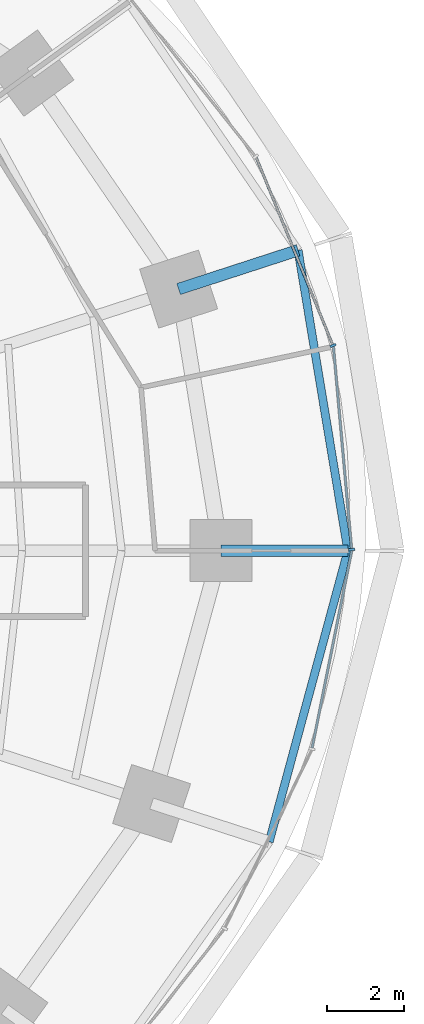
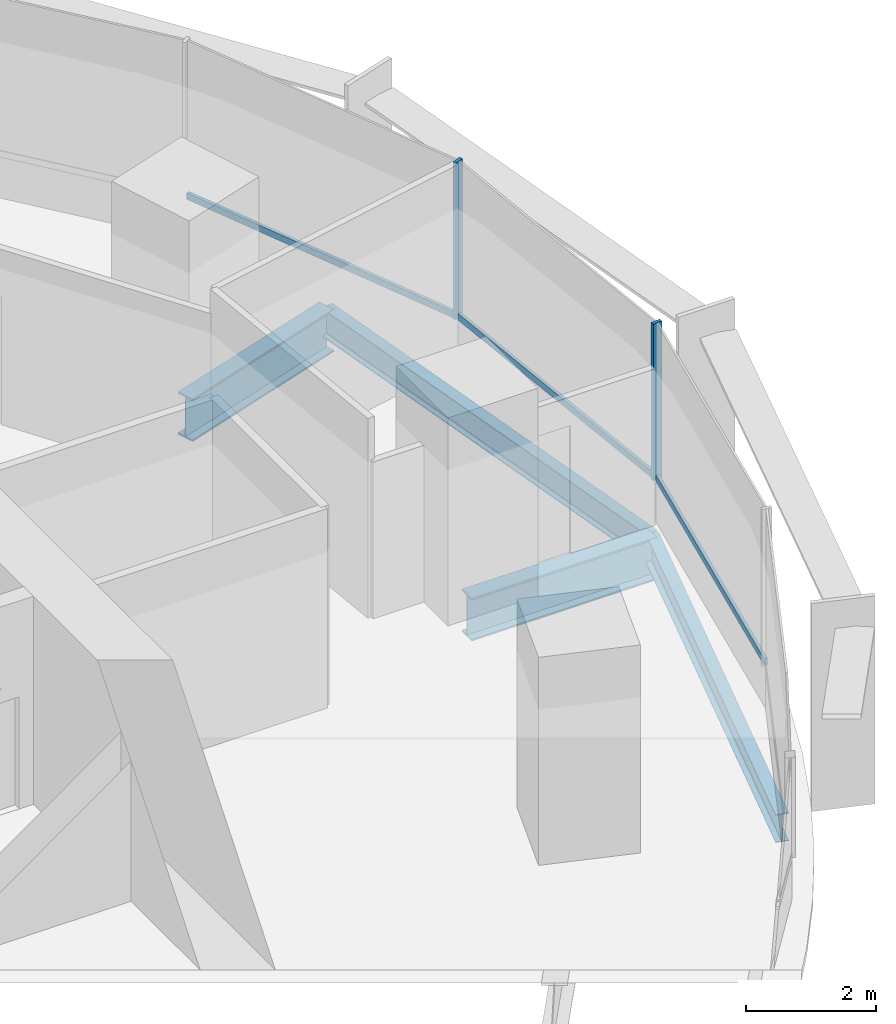
# One storey, part 6 of 14: 5 members, 4 beams, 2 elements without a shape of their own.
"""IFC4 building model written with IfcOpenShell, lengths in metres."""

from ifc_helpers import new_model, si_unit, direction, frame, origin, origin_2d, place, context, subcontext, project, spatial, rectangle, i_section, extrude, material, material_profile, profile_set, type_object, element, aggregate, save


model = new_model("IFC4")

# Units and contexts
model_context = context("Model", 3, precision=1e-05, world=origin(), true_north=direction((0.0, 1.0)))
body_context = subcontext(model_context, "Body", "Model", "MODEL_VIEW")
ifc_project = project(units=[si_unit("LENGTHUNIT", "METRE"), si_unit("AREAUNIT", "SQUARE_METRE"), si_unit("VOLUMEUNIT", "CUBIC_METRE"), si_unit("PLANEANGLEUNIT", "RADIAN"), si_unit("MASSUNIT", "GRAM", prefix="KILO")], contexts=[model_context])

# Site, building, storey
site_placement = place(None, origin())
site = spatial("IfcSite", under=ifc_project, at=site_placement, CompositionType="ELEMENT")
building_placement = place(site_placement, origin())
building = spatial("IfcBuilding", under=site, at=building_placement, Name="Marramba Exchange Tower", CompositionType="ELEMENT")
storey_placement = place(building_placement, frame((0.0, 0.0, 96.300048828125)))
storey = spatial("IfcBuildingStorey", under=building, at=storey_placement, Name="L22", CompositionType="ELEMENT", Elevation=96.300048828125)

# Beams
ifc_material_1 = material(Name="Steel AS/NZS 3679.2 grade 300", Category="steel")
ifc_material_profile_1 = material_profile(ifc_material_1, i_section(OverallWidth=0.300048828125, OverallDepth=0.800048828125, WebThickness=0.013916015625, FlangeThickness=0.031982421875, at=origin_2d()), Name="800WB192")
ifc_profile_set_1 = profile_set([ifc_material_profile_1], Name="Steel AS/NZS 3679.2 grade 300")
beam_type_1 = type_object("IfcBeamType", Name="Cantilever girder 800WB192", PredefinedType="BEAM", material=ifc_profile_set_1)
beam_1_placement = place(storey_placement, frame((21.89990234375, 0.0, -0.56005859375), z_axis=(1.0, 0.0, 0.0), x_axis=(0.0, 1.0, 0.0)))
element("IfcBeam", 1, at=beam_1_placement, inside=storey, type_object=beam_type_1, Name="Cantilever girder L22 TC01", PredefinedType="BEAM", context=body_context, shape_type="SweptSolid", body=[
    extrude(i_section(OverallWidth=0.300048828125, OverallDepth=0.800048828125, WebThickness=0.013916015625, FlangeThickness=0.031982421875, at=origin_2d()), origin(), (0.0, 0.0, 1.0), 3.281982421875),
])
beam_2_placement = place(storey_placement, frame((20.808349609375, 6.760986328125, -0.56005859375), z_axis=(0.95105562578, 0.309019735087, 0.0), x_axis=(-0.309019735087, 0.95105562578, 0.0)))
element("IfcBeam", 2, at=beam_2_placement, inside=storey, type_object=beam_type_1, Name="Cantilever girder L22 TC02", PredefinedType="BEAM", context=body_context, shape_type="SweptSolid", body=[
    extrude(i_section(OverallWidth=0.300048828125, OverallDepth=0.800048828125, WebThickness=0.013916015625, FlangeThickness=0.031982421875, at=origin_2d()), origin(), (0.0, 0.0, 1.0), 3.24560546875),
])

# Curtain wall, members
ifc_material_2 = material(Name="Aluminium framing, bronze anodised", Category="aluminium")
curtain_wall_type = type_object("IfcCurtainWallType", Name="Office ribbon curtain wall", PredefinedType="USERDEFINED", material=ifc_material_2)
curtain_wall_1_placement = place(storey_placement, origin())
curtain_wall_1 = element("IfcCurtainWall", 3, at=curtain_wall_1_placement, inside=storey, type_object=curtain_wall_type, Name="Curtain wall CW4 L22 F01-F05", ObjectType="RIBBON CURTAIN WALL", PredefinedType="USERDEFINED")
ifc_material_3 = material(Name="Aluminium mullion, bronze anodised", Category="aluminium")
ifc_material_profile_2 = material_profile(ifc_material_3, rectangle(XDim=0.159912109375, YDim=0.06005859375, at=origin_2d()), Name="CW4 mullion 60x160")
ifc_profile_set_2 = profile_set([ifc_material_profile_2], Name="Aluminium mullion, bronze anodised")
member_type_1 = type_object("IfcMemberType", Name="Office ribbon curtain wall mullion", PredefinedType="MULLION", material=ifc_profile_set_2)
member_1_placement = place(storey_placement, frame((25.279296875, 0.02978515625, 0.800048828125), z_axis=(0.0, 0.0, 1.0), x_axis=(-0.995994646311, -0.089412887889, 0.0)))
member_1 = element("IfcMember", 4, at=member_1_placement, type_object=member_type_1, Name="CW4 mullion 1", PredefinedType="MULLION", context=body_context, shape_type="SweptSolid", body=[
    extrude(rectangle(XDim=0.159912109375, YDim=0.06005859375, at=origin_2d()), origin(), (0.0, 0.0, 1.0), 2.93994140625),
])
member_2_placement = place(storey_placement, frame((24.79736328125, 5.301025390625, 0.800048828125), z_axis=(0.0, 0.0, 1.0), x_axis=(-0.925878584668, -0.377821183171, 0.0)))
member_2 = element("IfcMember", 5, at=member_2_placement, type_object=member_type_1, Name="CW4 mullion 1", PredefinedType="MULLION", context=body_context, shape_type="SweptSolid", body=[
    extrude(rectangle(XDim=0.159912109375, YDim=0.06005859375, at=origin_2d()), origin(), (0.0, 0.0, 1.0), 2.93994140625),
])
ifc_material_4 = material(Name="Aluminium transom, bronze anodised", Category="aluminium")
ifc_material_profile_3 = material_profile(ifc_material_4, rectangle(XDim=0.06005859375, YDim=0.1201171875, at=origin_2d()), Name="CW4 transom 60x120")
ifc_profile_set_3 = profile_set([ifc_material_profile_3], Name="Aluminium transom, bronze anodised")
member_type_2 = type_object("IfcMemberType", Name="Office ribbon curtain wall transom", PredefinedType="USERDEFINED", material=ifc_profile_set_3)
member_3_placement = place(storey_placement, frame((25.276611328125, 0.059814453125, 0.829833984375), z_axis=(-0.089412838135, 0.995994650777, 0.0), x_axis=(-0.995994650777, -0.089412838135, 0.0)))
member_3 = element("IfcMember", 6, at=member_3_placement, type_object=member_type_2, Name="CW4 sill transom", ObjectType="TRANSOM", PredefinedType="USERDEFINED", context=body_context, shape_type="SweptSolid", body=[
    extrude(rectangle(XDim=0.06005859375, YDim=0.1201171875, at=origin_2d()), origin(), (0.0, 0.0, 1.0), 5.234375),
])
member_4_placement = place(storey_placement, frame((24.785888671875, 5.328857421875, 0.829833984375), z_axis=(-0.377838039034, 0.925871706155, 0.0), x_axis=(-0.925871706155, -0.377838039034, 0.0)))
member_4 = element("IfcMember", 7, at=member_4_placement, type_object=member_type_2, Name="CW4 sill transom", ObjectType="TRANSOM", PredefinedType="USERDEFINED", context=body_context, shape_type="SweptSolid", body=[
    extrude(rectangle(XDim=0.06005859375, YDim=0.1201171875, at=origin_2d()), origin(), (0.0, 0.0, 1.0), 5.2158203125),
])
aggregate(curtain_wall_1, [member_1, member_3, member_2, member_4])

# Curtain wall, member
curtain_wall_2_placement = place(storey_placement, origin())
curtain_wall_2 = element("IfcCurtainWall", 8, at=curtain_wall_2_placement, inside=storey, type_object=curtain_wall_type, Name="Curtain wall CW4 L22 F26-F30", ObjectType="RIBBON CURTAIN WALL", PredefinedType="USERDEFINED")
member_5_placement = place(storey_placement, frame((24.258056640625, -5.094970703125, 0.829833984375), z_axis=(0.197028520451, 0.980397757101, 0.0), x_axis=(-0.980397757101, 0.197028520451, 0.0)))
member_5 = element("IfcMember", 9, at=member_5_placement, type_object=member_type_2, Name="CW4 sill transom", ObjectType="TRANSOM", PredefinedType="USERDEFINED", context=body_context, shape_type="SweptSolid", body=[
    extrude(rectangle(XDim=0.06005859375, YDim=0.1201171875, at=origin_2d()), origin(), (0.0, 0.0, 1.0), 5.19677734375),
])
aggregate(curtain_wall_2, [member_5])

# Beams
ifc_material_5 = material(Name="Steel AS/NZS 3679.1 grade 300", Category="steel")
ifc_material_profile_4 = material_profile(ifc_material_5, i_section(OverallWidth=0.208984375, OverallDepth=0.528076171875, WebThickness=0.009521484375, FlangeThickness=0.01318359375, FilletRadius=0.013916015625, at=origin_2d()), Name="530UB82.0")
ifc_profile_set_4 = profile_set([ifc_material_profile_4], Name="Steel AS/NZS 3679.1 grade 300")
beam_type_2 = type_object("IfcBeamType", Name="Slab edge beam 530UB82.0", PredefinedType="SPANDREL", material=ifc_profile_set_4)
beam_3_placement = place(storey_placement, frame((25.181884765625, 0.0, -0.424072265625), z_axis=(-0.163518559175, 0.986540258076, 0.0), x_axis=(-0.986540258076, -0.163518559175, 0.0)))
element("IfcBeam", 10, at=beam_3_placement, inside=storey, type_object=beam_type_2, Name="Slab edge beam L22 TC01-TC02", PredefinedType="SPANDREL", context=body_context, shape_type="SweptSolid", body=[
    extrude(i_section(OverallWidth=0.208984375, OverallDepth=0.528076171875, WebThickness=0.009521484375, FlangeThickness=0.01318359375, FilletRadius=0.013916015625, at=origin_2d()), origin(), (0.0, 0.0, 1.0), 7.869873046875),
])
beam_4_placement = place(storey_placement, frame((23.148681640625, -7.521484375, -0.424072265625), z_axis=(0.260953221575, 0.965351446961, 0.0), x_axis=(-0.965351446961, 0.260953221575, 0.0)))
element("IfcBeam", 11, at=beam_4_placement, inside=storey, type_object=beam_type_2, Name="Slab edge beam L22 TC20-TC01", PredefinedType="SPANDREL", context=body_context, shape_type="SweptSolid", body=[
    extrude(i_section(OverallWidth=0.208984375, OverallDepth=0.528076171875, WebThickness=0.009521484375, FlangeThickness=0.01318359375, FilletRadius=0.013916015625, at=origin_2d()), origin(), (0.0, 0.0, 1.0), 7.79150390625),
])

save(model, "model.ifc")
